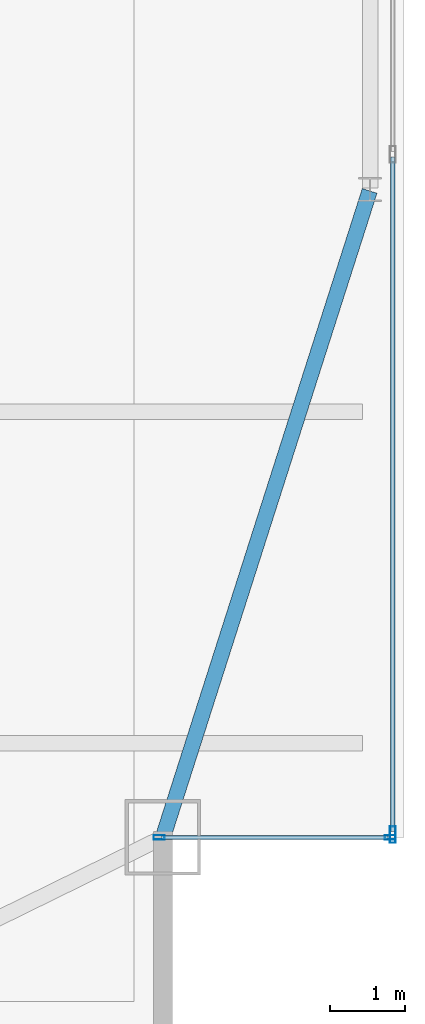
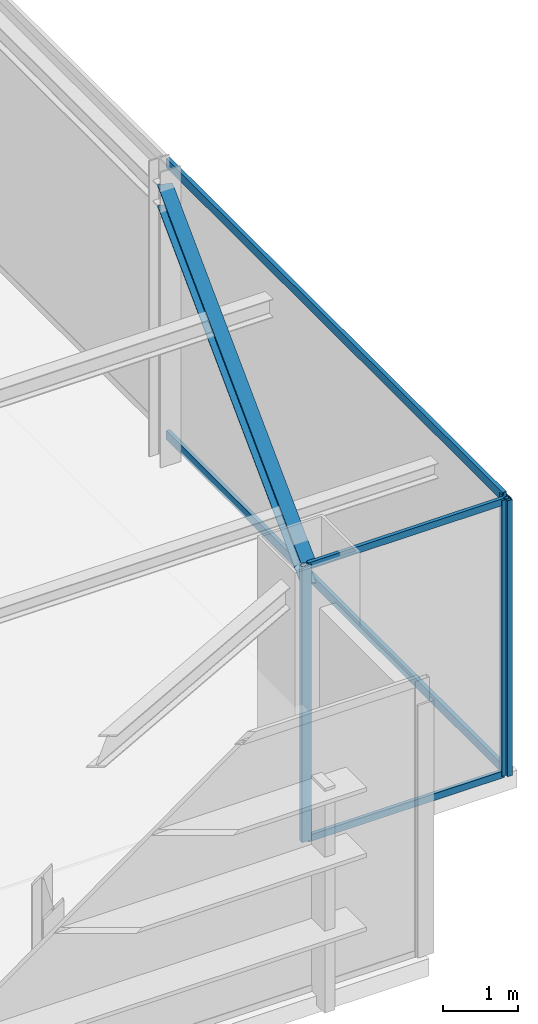
# One storey, part 14 of 20: 7 members, 1 beam, 2 elements without a shape of their own.
"""IFC4 building model written with IfcOpenShell, lengths in metres."""

from ifc_helpers import new_model, si_unit, direction, frame, origin, origin_2d, place, context, subcontext, project, spatial, hollow_rectangle, i_section, extrude, source, transform, mapped, material, layer, layer_set, material_profile, profile_set, type_object, type_shapes, element, aggregate, save


model = new_model("IFC4")

# Units and contexts
model_context = context("Model", 3, precision=1e-05, world=origin(), true_north=direction((0.0, 1.0)))
body_context = subcontext(model_context, "Body", "Model", "MODEL_VIEW")
ifc_project = project(units=[si_unit("LENGTHUNIT", "METRE"), si_unit("AREAUNIT", "SQUARE_METRE"), si_unit("VOLUMEUNIT", "CUBIC_METRE"), si_unit("PLANEANGLEUNIT", "RADIAN"), si_unit("MASSUNIT", "GRAM", prefix="KILO")], contexts=[model_context])

# Site, building, storey
site_placement = place(None, origin())
site = spatial("IfcSite", under=ifc_project, at=site_placement, CompositionType="ELEMENT")
building_placement = place(site_placement, origin())
building = spatial("IfcBuilding", under=site, at=building_placement, Name="Varnel Quay Broadcast Tower", CompositionType="ELEMENT")
storey_placement = place(building_placement, frame((0.0, 0.0, 309.800048828125)))
storey = spatial("IfcBuildingStorey", under=building, at=storey_placement, Name="L77", CompositionType="ELEMENT", Elevation=309.800048828125)

# Beam
ifc_material_1 = material(Name="Structural Steel CSA G40.21 350W", Category="steel")
ifc_material_profile_1 = material_profile(ifc_material_1, i_section(OverallWidth=0.205078125, OverallDepth=0.35400390625, WebThickness=0.009521484375, FlangeThickness=0.016845703125, FilletRadius=0.012939453125, at=origin_2d()), Name="W360X79")
ifc_profile_set_1 = profile_set([ifc_material_profile_1], Name="Structural Steel CSA G40.21 350W")
beam_type = type_object("IfcBeamType", Name="Beam_W360X79", PredefinedType="SPANDREL", material=ifc_profile_set_1)
shared_shape_1 = source(origin(), body_context, "Body", "SweptSolid", [
    extrude(i_section(OverallWidth=0.205078125, OverallDepth=0.35400390625, WebThickness=0.009521484375, FlangeThickness=0.016845703125, FilletRadius=0.012939453125, at=origin_2d()), origin(), (0.0, 0.0, 1.0), 8.989013671875),
])
type_shapes(beam_type, [shared_shape_1])
beam_placement = place(storey_placement, frame((52.80615234375, 16.4189453125, 4.302978515625), z_axis=(0.304568770162, 0.952490348635, 0.0), x_axis=(-0.952490348635, 0.304568770162, 0.0)))
element("IfcBeam", 1, at=beam_placement, inside=storey, type_object=beam_type, Name="L77 East Spandrel MC-SE-TC-E1", PredefinedType="SPANDREL", context=body_context, shape_type="MappedRepresentation", body=[
    mapped(shared_shape_1, transform((0.0, 0.0, 0.0), x_axis=(1.0, 0.0, 0.0), y_axis=(0.0, 1.0, 0.0), z_axis=(0.0, 0.0, 1.0), scale=1.0)),
])

# Curtain wall, members
ifc_material_2 = material(Name="Anodised Bronze Aluminium 6063-T6", Category="aluminium")
ifc_layer_1 = layer(ifc_material_2, 0.18994140625, Name="Anodised Bronze Aluminium 6063-T6")
ifc_layer_set_1 = layer_set([ifc_layer_1], Name="Anodised Bronze Aluminium 6063-T6")
curtain_wall_type_1 = type_object("IfcCurtainWallType", Name="CW_NotchCorner", PredefinedType="NOTDEFINED", material=ifc_layer_set_1)
curtain_wall_1_placement = place(storey_placement, origin())
curtain_wall_1 = element("IfcCurtainWall", 2, at=curtain_wall_1_placement, inside=storey, type_object=curtain_wall_type_1, Name="L77 SE Notch Curtain Wall", PredefinedType="NOTDEFINED")
ifc_material_profile_2 = material_profile(ifc_material_2, hollow_rectangle(XDim=0.054931640625, YDim=0.110107421875, WallThickness=0.0029296875, at=origin_2d()), Name="ALU55X110X3")
ifc_profile_set_2 = profile_set([ifc_material_profile_2], Name="Anodised Bronze Aluminium 6063-T6")
member_type_1 = type_object("IfcMemberType", Name="Tran_CWS-04", PredefinedType="USERDEFINED", material=ifc_profile_set_2)
shared_shape_2 = source(origin(), body_context, "Body", "SweptSolid", [
    extrude(hollow_rectangle(XDim=0.054931640625, YDim=0.110107421875, WallThickness=0.0029296875, at=origin_2d()), origin(), (0.0, 0.0, 1.0), 3.010009765625),
])
type_shapes(member_type_1, [shared_shape_2])
member_1_placement = place(storey_placement, frame((52.780029296875, 16.39990234375, 0.02734375), z_axis=(1.0, 0.0, 0.0), x_axis=(0.0, 1.0, 0.0)))
member_1 = element("IfcMember", 3, at=member_1_placement, type_object=member_type_1, Name="CWS-04 transom 1.1", ObjectType="TRANSOM", PredefinedType="USERDEFINED", context=body_context, shape_type="MappedRepresentation", body=[
    mapped(shared_shape_2, transform((0.0, 0.0, 0.0), x_axis=(1.0, 0.0, 0.0), y_axis=(0.0, 1.0, 0.0), z_axis=(0.0, 0.0, 1.0), scale=1.0)),
])
member_2_placement = place(storey_placement, frame((52.780029296875, 16.39990234375, 4.452392578125), z_axis=(1.0, 0.0, 0.0), x_axis=(0.0, 1.0, 0.0)))
member_2 = element("IfcMember", 4, at=member_2_placement, type_object=member_type_1, Name="CWS-04 transom 1.2", ObjectType="TRANSOM", PredefinedType="USERDEFINED", context=body_context, shape_type="MappedRepresentation", body=[
    mapped(shared_shape_2, transform((0.0, 0.0, 0.0), x_axis=(1.0, 0.0, 0.0), y_axis=(0.0, 1.0, 0.0), z_axis=(0.0, 0.0, 1.0), scale=1.0)),
])

ifc_layer_2 = layer(ifc_material_2, 0.18994140625, Name="Anodised Bronze Aluminium 6063-T6")
ifc_layer_set_2 = layer_set([ifc_layer_2], Name="Anodised Bronze Aluminium 6063-T6")
curtain_wall_type_2 = type_object("IfcCurtainWallType", Name="CW_SkyObsHighVis", PredefinedType="NOTDEFINED", material=ifc_layer_set_2)
curtain_wall_2_placement = place(storey_placement, origin())
curtain_wall_2 = element("IfcCurtainWall", 5, at=curtain_wall_2_placement, inside=storey, type_object=curtain_wall_type_2, Name="L77 East Unitised Curtain Wall", PredefinedType="NOTDEFINED")
ifc_material_profile_3 = material_profile(ifc_material_2, hollow_rectangle(XDim=0.06005859375, YDim=0.14501953125, WallThickness=0.00341796875, at=origin_2d()), Name="ALU60X145X3.5")
ifc_profile_set_3 = profile_set([ifc_material_profile_3], Name="Anodised Bronze Aluminium 6063-T6")
member_type_2 = type_object("IfcMemberType", Name="Tran_CWS-05", PredefinedType="USERDEFINED", material=ifc_profile_set_3)
shared_shape_3 = source(origin(), body_context, "Body", "SweptSolid", [
    extrude(hollow_rectangle(XDim=0.06005859375, YDim=0.14501953125, WallThickness=0.00341796875, at=origin_2d()), origin(), (0.0, 0.0, 1.0), 8.9541015625),
])
type_shapes(member_type_2, [shared_shape_3])
member_3_placement = place(storey_placement, frame((55.85009765625, 16.47509765625, 0.030029296875), z_axis=(0.0, 1.0, 0.0), x_axis=(-1.0, 0.0, 0.0)))
member_3 = element("IfcMember", 6, at=member_3_placement, type_object=member_type_2, Name="CWS-05 transom 1.1", ObjectType="TRANSOM", PredefinedType="USERDEFINED", context=body_context, shape_type="MappedRepresentation", body=[
    mapped(shared_shape_3, transform((0.0, 0.0, 0.0), x_axis=(1.0, 0.0, 0.0), y_axis=(0.0, 1.0, 0.0), z_axis=(0.0, 0.0, 1.0), scale=1.0)),
])
member_4_placement = place(storey_placement, frame((55.85009765625, 16.47509765625, 4.449951171875), z_axis=(0.0, 1.0, 0.0), x_axis=(-1.0, 0.0, 0.0)))
member_4 = element("IfcMember", 7, at=member_4_placement, type_object=member_type_2, Name="CWS-05 transom 1.2", ObjectType="TRANSOM", PredefinedType="USERDEFINED", context=body_context, shape_type="MappedRepresentation", body=[
    mapped(shared_shape_3, transform((0.0, 0.0, 0.0), x_axis=(1.0, 0.0, 0.0), y_axis=(0.0, 1.0, 0.0), z_axis=(0.0, 0.0, 1.0), scale=1.0)),
])
ifc_material_profile_4 = material_profile(ifc_material_2, hollow_rectangle(XDim=0.074951171875, YDim=0.219970703125, WallThickness=0.00390625, at=origin_2d()), Name="ALU75X220X4")
ifc_profile_set_4 = profile_set([ifc_material_profile_4], Name="Anodised Bronze Aluminium 6063-T6")
member_type_3 = type_object("IfcMemberType", Name="Mull_CWS-05", PredefinedType="MULLION", material=ifc_profile_set_4)
shared_shape_4 = source(origin(), body_context, "Body", "SweptSolid", [
    extrude(hollow_rectangle(XDim=0.074951171875, YDim=0.219970703125, WallThickness=0.00390625, at=origin_2d()), origin(), (0.0, 0.0, 1.0), 4.47998046875),
])
type_shapes(member_type_3, [shared_shape_4])
member_5_placement = place(storey_placement, frame((55.85009765625, 16.4375, 0.0), z_axis=(0.0, 0.0, 1.0), x_axis=(-1.0, 0.0, 0.0)))
member_5 = element("IfcMember", 8, at=member_5_placement, type_object=member_type_3, Name="CWS-05 mullion 1", PredefinedType="MULLION", context=body_context, shape_type="MappedRepresentation", body=[
    mapped(shared_shape_4, transform((0.0, 0.0, 0.0), x_axis=(1.0, 0.0, 0.0), y_axis=(0.0, 1.0, 0.0), z_axis=(0.0, 0.0, 1.0), scale=1.0)),
])
aggregate(curtain_wall_2, [member_5, member_3, member_4])

# Member
ifc_material_profile_5 = material_profile(ifc_material_2, hollow_rectangle(XDim=0.06005859375, YDim=0.14501953125, WallThickness=0.00341796875, at=origin_2d()), Name="ALU60X145X3.5")
ifc_profile_set_5 = profile_set([ifc_material_profile_5], Name="Anodised Bronze Aluminium 6063-T6")
member_type_4 = type_object("IfcMemberType", Name="Mull_CWS-04", PredefinedType="MULLION", material=ifc_profile_set_5)
shared_shape_5 = source(origin(), body_context, "Body", "SweptSolid", [
    extrude(hollow_rectangle(XDim=0.06005859375, YDim=0.14501953125, WallThickness=0.00341796875, at=origin_2d()), origin(), (0.0, 0.0, 1.0), 4.47998046875),
])
type_shapes(member_type_4, [shared_shape_5])
member_6_placement = place(storey_placement, frame((52.75, 16.39990234375, 0.0), z_axis=(0.0, 0.0, 1.0), x_axis=(0.0, 1.0, 0.0)))
member_6 = element("IfcMember", 9, at=member_6_placement, type_object=member_type_4, Name="CWS-04 mullion 1", PredefinedType="MULLION", context=body_context, shape_type="MappedRepresentation", body=[
    mapped(shared_shape_5, transform((0.0, 0.0, 0.0), x_axis=(1.0, 0.0, 0.0), y_axis=(0.0, 1.0, 0.0), z_axis=(0.0, 0.0, 1.0), scale=1.0)),
])

member_7_placement = place(storey_placement, frame((55.820068359375, 16.39990234375, 0.0), z_axis=(0.0, 0.0, 1.0), x_axis=(0.0, 1.0, 0.0)))
member_7 = element("IfcMember", 10, at=member_7_placement, type_object=member_type_4, Name="CWS-04 mullion 2", PredefinedType="MULLION", context=body_context, shape_type="MappedRepresentation", body=[
    mapped(shared_shape_5, transform((0.0, 0.0, 0.0), x_axis=(1.0, 0.0, 0.0), y_axis=(0.0, 1.0, 0.0), z_axis=(0.0, 0.0, 1.0), scale=1.0)),
])

aggregate(curtain_wall_1, [member_6, member_7, member_1, member_2])

save(model, "model.ifc")
